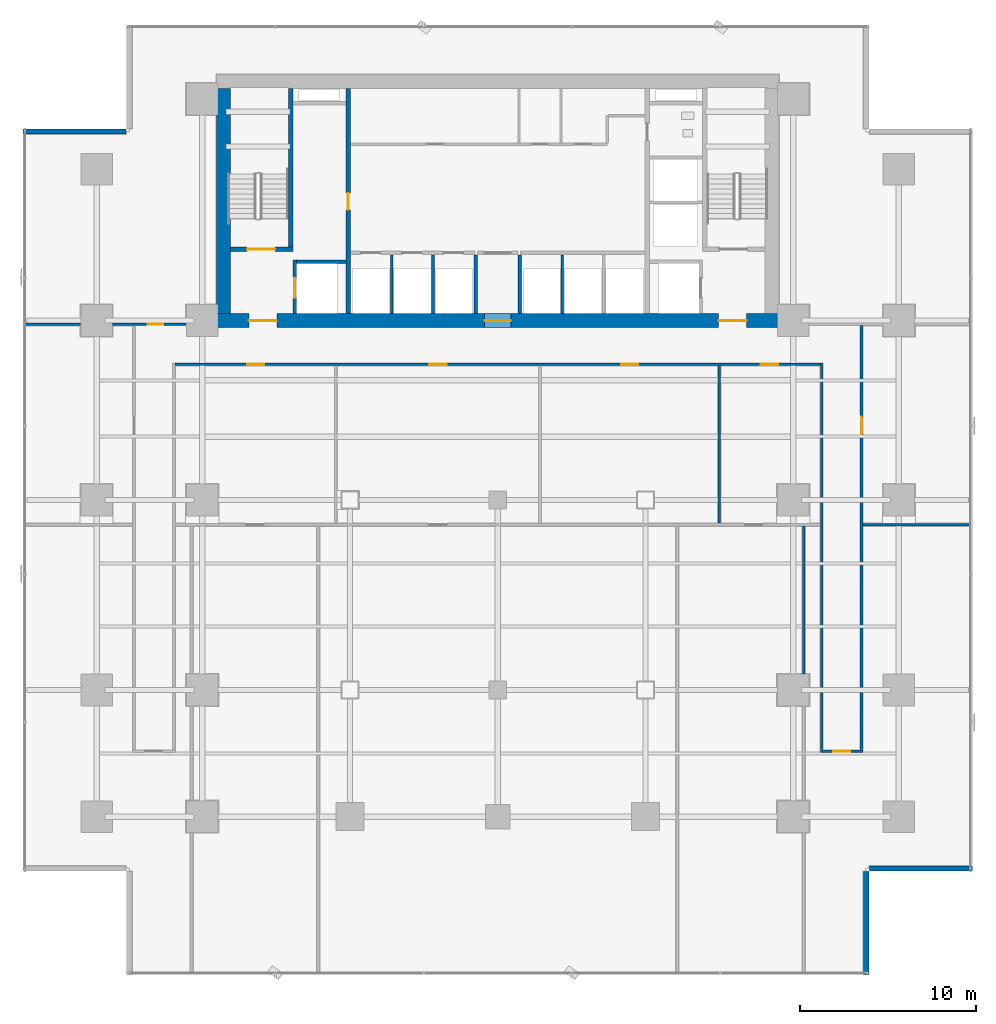
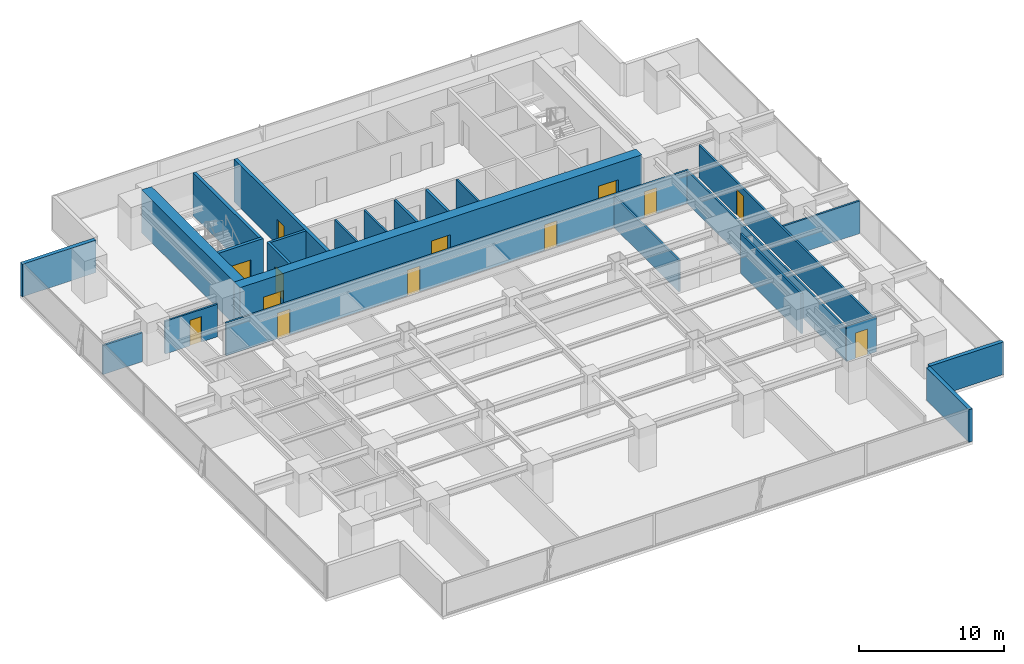
# One storey, part 24 of 32: 24 walls, 13 doors, 13 openings.
"""IFC4 building model written with IfcOpenShell, lengths in metres."""

import ifcopenshell
import ifcopenshell.guid

model = None  # the IFC model being written
_history = None  # IfcOwnerHistory: only IFC2X3 demands one
_inside = {}  # id of a spatial element -> (the spatial element, [elements in it])
_under = {}  # id of a project, library or spatial element -> (it, [spatial elements below it])
_declared = {}  # id of a project -> (the project, [libraries it declares])
_typed = {}  # id of a type object -> (the type object, [elements of that type])
_made_of = {}  # id of a material, layer set ... -> (it, [elements and type objects made of it])


def new_model(schema):
    """Start an empty IFC model of exactly this schema.

    Asked for "IFC4X3", IfcOpenShell would pick the latest addendum, in which some entities
    have other attributes; the version numbers below select the first issue.
    IFC2X3 requires an IfcOwnerHistory on every rooted entity: one is made here for all.
    """
    global model, _history
    if schema == "IFC4X3":
        model = ifcopenshell.file(schema_version=(4, 3, 0, 0))
    else:
        model = ifcopenshell.file(schema=schema)
    _inside.clear()
    _under.clear()
    _declared.clear()
    _typed.clear()
    _made_of.clear()
    _history = None
    if model.schema == "IFC2X3":
        org = make("IfcOrganization", Name="unknown")
        user = make(
            "IfcPersonAndOrganization",
            ThePerson=make("IfcPerson", FamilyName="unknown"),
            TheOrganization=org,
        )
        app = make(
            "IfcApplication",
            ApplicationDeveloper=org,
            Version="unknown",
            ApplicationFullName="unknown",
            ApplicationIdentifier="unknown",
        )
        _history = make(
            "IfcOwnerHistory",
            OwningUser=user,
            OwningApplication=app,
            ChangeAction="ADDED",
            CreationDate=0,
        )
    return model


def make(cls, **values):
    """One entity of the class cls with the attributes given. An attribute that is None is left unset."""
    return model.create_entity(
        cls, **{name: value for name, value in values.items() if value is not None}
    )


def rooted(cls, **values):
    """An entity with a GlobalId (a new one), such as an element, a storey or a relation."""
    return make(cls, GlobalId=ifcopenshell.guid.new(), OwnerHistory=_history, **values)


def si_unit(unit_type, name, prefix=None):
    """IfcSIUnit, for example si_unit("LENGTHUNIT", "METRE", prefix="MILLI")."""
    return make("IfcSIUnit", UnitType=unit_type, Prefix=prefix, Name=name)


def assignment(units):
    """IfcUnitAssignment: the units of a project."""
    return None if units is None else make("IfcUnitAssignment", Units=units)


def point(xyz):
    """IfcCartesianPoint."""
    return None if xyz is None else make("IfcCartesianPoint", Coordinates=xyz)


def direction(xyz):
    """IfcDirection."""
    return None if xyz is None else make("IfcDirection", DirectionRatios=xyz)


def frame(location, z_axis=None, x_axis=None):
    """IfcAxis2Placement3D, a coordinate frame: its origin and axes. An axis left out is left unset."""
    return make(
        "IfcAxis2Placement3D",
        Location=point(location),
        Axis=direction(z_axis),
        RefDirection=direction(x_axis),
    )


def frame_2d(location, x_axis=None):
    """IfcAxis2Placement2D, a coordinate frame in the plane: its origin and x axis."""
    return make(
        "IfcAxis2Placement2D", Location=point(location), RefDirection=direction(x_axis)
    )


def origin():
    """The frame at (0, 0, 0) with its axes left unset."""
    return frame((0.0, 0.0, 0.0))


def place(relative_to, where):
    """IfcLocalPlacement: puts the frame where relative to a parent placement (None: the world)."""
    return make(
        "IfcLocalPlacement", PlacementRelTo=relative_to, RelativePlacement=where
    )


def context(
    kind, dimensions, precision=None, world=None, true_north=None, identifier=None
):
    """IfcGeometricRepresentationContext, for example the 3D "Model" context."""
    return make(
        "IfcGeometricRepresentationContext",
        ContextIdentifier=identifier,
        ContextType=kind,
        CoordinateSpaceDimension=dimensions,
        Precision=precision,
        WorldCoordinateSystem=world,
        TrueNorth=true_north,
    )


def subcontext(parent, identifier, kind, view, scale=None):
    """IfcGeometricRepresentationSubContext, for example "Body" below "Model"."""
    return make(
        "IfcGeometricRepresentationSubContext",
        ContextIdentifier=identifier,
        ContextType=kind,
        ParentContext=parent,
        TargetScale=scale,
        TargetView=view,
    )


def project(units=None, contexts=None):
    """IfcProject with its units and contexts."""
    return rooted(
        "IfcProject",
        Name="project",
        RepresentationContexts=contexts,
        UnitsInContext=assignment(units),
    )


def spatial(cls, under=None, at=None, **own):
    """A site, building, storey or space (cls), placed at a placement, below another one or the project."""
    s = rooted(cls, ObjectPlacement=at, **own)
    if under is not None:
        _under.setdefault(under.id(), (under, []))[1].append(s)
    return s


def profile(cls, at=None, kind="AREA", **sizes):
    """A parametric profile (cls). Its sizes go by their IFC names, for example OverallWidth=200.0."""
    return make(cls, ProfileType=kind, Position=at, **sizes)


def rectangle(**sizes):
    """IfcRectangleProfileDef."""
    return profile("IfcRectangleProfileDef", **sizes)


def extrude(swept, where, along, depth):
    """IfcExtrudedAreaSolid: the profile swept, set in the frame where, extruded along a direction by depth."""
    return make(
        "IfcExtrudedAreaSolid",
        SweptArea=swept,
        Position=where,
        ExtrudedDirection=direction(along),
        Depth=depth,
    )


def shape(context_of_items, identifier, shape_type, items):
    """IfcShapeRepresentation: the items that make up one representation, for example the "Body"."""
    return make(
        "IfcShapeRepresentation",
        ContextOfItems=context_of_items,
        RepresentationIdentifier=identifier,
        RepresentationType=shape_type,
        Items=items,
    )


def source(mapping_origin, context_of_items, identifier, shape_type, items):
    """IfcRepresentationMap: a shape defined once, which mapped items show again and again."""
    return make(
        "IfcRepresentationMap",
        MappingOrigin=mapping_origin,
        MappedRepresentation=shape(context_of_items, identifier, shape_type, items),
    )


def transform(
    local_origin,
    x_axis=None,
    y_axis=None,
    z_axis=None,
    scale=None,
    scale2=None,
    scale3=None,
    uniform=True,
):
    """IfcCartesianTransformationOperator3D, or its non-uniform kind. x_axis, y_axis, z_axis: its Axis1, 2, 3."""
    if uniform:
        return make(
            "IfcCartesianTransformationOperator3D",
            Axis1=direction(x_axis),
            Axis2=direction(y_axis),
            LocalOrigin=point(local_origin),
            Scale=scale,
            Axis3=direction(z_axis),
        )
    return make(
        "IfcCartesianTransformationOperator3DnonUniform",
        Axis1=direction(x_axis),
        Axis2=direction(y_axis),
        LocalOrigin=point(local_origin),
        Scale=scale,
        Axis3=direction(z_axis),
        Scale2=scale2,
        Scale3=scale3,
    )


def mapped(mapping_source, mapping_target):
    """IfcMappedItem: shows the shape of a source again, moved by a transform."""
    return make(
        "IfcMappedItem", MappingSource=mapping_source, MappingTarget=mapping_target
    )


def material(Name=None, Category=None):
    """IfcMaterial."""
    return make("IfcMaterial", Name=Name, Category=Category)


def layer(
    of_material, thickness, ventilated=None, Name=None, Category=None, Priority=None
):
    """IfcMaterialLayer: one layer of a wall or slab, of a material (None: an air gap)."""
    return make(
        "IfcMaterialLayer",
        Material=of_material,
        LayerThickness=thickness,
        IsVentilated=ventilated,
        Name=Name,
        Category=Category,
        Priority=Priority,
    )


def layer_set(layers, Name=None):
    """IfcMaterialLayerSet."""
    return make("IfcMaterialLayerSet", MaterialLayers=layers, LayerSetName=Name)


def made_of(thing, what):
    """Note that an element or type object is made of a material, layer set ...; save() writes the relation."""
    if what is not None:
        _made_of.setdefault(what.id(), (what, []))[1].append(thing)
    return thing


def type_object(cls, material=None, **own):
    """A type object (cls), such as IfcWallType, which elements share."""
    return made_of(rooted(cls, **own), material)


def element(
    cls,
    number,
    at=None,
    inside=None,
    cuts=None,
    type_object=None,
    material=None,
    context=None,
    identifier="Body",
    shape_type=None,
    held_by="IfcProductDefinitionShape",
    body=None,
    shapes=None,
    **own,
):
    """One element of the class cls, such as IfcWall. Its Tag is "e" and its number.

    at: its placement. inside: the storey or other place that contains it. cuts: it is an
    opening in that element (IfcRelVoidsElement). A single representation is given by context,
    identifier, shape_type and body (its items); several are given by shapes. held_by: the class
    of the entity that holds the representations. save() writes the other relations.
    """
    e = rooted(cls, Tag="e%d" % number, ObjectPlacement=at, **own)
    if body is not None:
        shapes = [shape(context, identifier, shape_type, body)]
    if shapes is not None:
        e.Representation = make(held_by, Representations=shapes)
    if inside is not None:
        _inside.setdefault(inside.id(), (inside, []))[1].append(e)
    if cuts is not None:
        rooted(
            "IfcRelVoidsElement", RelatingBuildingElement=cuts, RelatedOpeningElement=e
        )
    if type_object is not None:
        _typed.setdefault(type_object.id(), (type_object, []))[1].append(e)
    return made_of(e, material)


def fill(opening, filler):
    """IfcRelFillsElement: the door or window that sits in an opening."""
    return rooted(
        "IfcRelFillsElement",
        RelatingOpeningElement=opening,
        RelatedBuildingElement=filler,
    )


def aggregate(whole, parts):
    """IfcRelAggregates: a whole, such as a stair, and the parts it consists of."""
    return rooted("IfcRelAggregates", RelatingObject=whole, RelatedObjects=parts)


def save(model, path):
    """Write the relations noted so far, then the file.

    IfcRelAggregates (storeys below a building ...), IfcRelContainedInSpatialStructure (elements
    in a storey), IfcRelDefinesByType, IfcRelAssociatesMaterial and IfcRelDeclares: one each for
    every whole, place, type object, material and project.
    """
    for whole, parts in _under.values():
        aggregate(whole, parts)
    for where, things in _inside.values():
        rooted(
            "IfcRelContainedInSpatialStructure",
            RelatedElements=things,
            RelatingStructure=where,
        )
    for kind, things in _typed.values():
        rooted("IfcRelDefinesByType", RelatedObjects=things, RelatingType=kind)
    for what, things in _made_of.values():
        rooted("IfcRelAssociatesMaterial", RelatedObjects=things, RelatingMaterial=what)
    for by, libraries in _declared.values():
        rooted("IfcRelDeclares", RelatingContext=by, RelatedDefinitions=libraries)
    model.write(path)


model = new_model("IFC4")

# Units and contexts
model_context = context("Model", 3, precision=1e-05, world=origin(), true_north=direction((0.0, 1.0)))
body_context = subcontext(model_context, "Body", "Model", "MODEL_VIEW")
ifc_project = project(units=[si_unit("LENGTHUNIT", "METRE"), si_unit("AREAUNIT", "SQUARE_METRE"), si_unit("VOLUMEUNIT", "CUBIC_METRE"), si_unit("PLANEANGLEUNIT", "RADIAN"), si_unit("MASSUNIT", "GRAM", prefix="KILO")], contexts=[model_context])

# Site, building, storey
site_placement = place(None, origin())
site = spatial("IfcSite", under=ifc_project, at=site_placement, CompositionType="ELEMENT")
building_placement = place(site_placement, origin())
building = spatial("IfcBuilding", under=site, at=building_placement, Name="Sumidabori Civic Tower", CompositionType="ELEMENT")
storey_placement = place(building_placement, frame((0.0, 0.0, 52.39990234375)))
storey = spatial("IfcBuildingStorey", under=building, at=storey_placement, Name="L13", CompositionType="ELEMENT", Elevation=52.39990234375)

# Wall, openings, doors
ifc_material_1 = material(Name="Concrete C60/75", Category="concrete")
ifc_layer_1 = layer(ifc_material_1, 0.800048828125, Name="Concrete C60/75")
ifc_layer_set_1 = layer_set([ifc_layer_1], Name="Concrete C60/75")
wall_type_1 = type_object("IfcWallType", Name="WL-CORE-800", PredefinedType="SHEAR", material=ifc_layer_set_1)
shared_shape_1 = source(origin(), body_context, "Body", "SweptSolid", [
    extrude(rectangle(XDim=32.0, YDim=0.800048828125, at=frame_2d((16.0, 0.0))), origin(), (0.0, 0.0, 1.0), 3.60009765625),
])
wall_1_placement = place(storey_placement, frame((-16.0, 10.199951171875, 0.0), z_axis=(0.0, 0.0, 1.0), x_axis=(1.0, 0.0, 0.0)))
wall_1 = element("IfcWall", 1, at=wall_1_placement, inside=storey, type_object=wall_type_1, Name="Core Shear Wall L13 S", PredefinedType="SHEAR", context=body_context, shape_type="MappedRepresentation", body=[
    mapped(shared_shape_1, transform((0.0, 0.0, 0.0), x_axis=(1.0, 0.0, 0.0), y_axis=(0.0, 1.0, 0.0), z_axis=(0.0, 0.0, 1.0), scale=1.0)),
])
opening_1_placement = place(wall_1_placement, frame((1.85009765625, 0.0, 0.0)))
opening_1 = element("IfcOpeningElement", 2, at=opening_1_placement, cuts=wall_1, Name="Opening DR-FD4", PredefinedType="OPENING", context=body_context, shape_type="SweptSolid", body=[
    extrude(rectangle(XDim=1.60009765625, YDim=2.14990234375, at=frame_2d((0.800048828125, 1.074951171875))), frame((0.0, 0.412109375, 0.0), z_axis=(0.0, -1.0, 0.0), x_axis=(1.0, 0.0, 0.0)), (0.0, 0.0, 1.0), 0.823974609375),
])
opening_2_placement = place(wall_1_placement, frame((28.550048828125, 0.0, 0.0)))
opening_2 = element("IfcOpeningElement", 3, at=opening_2_placement, cuts=wall_1, Name="Opening DR-FD4", PredefinedType="OPENING", context=body_context, shape_type="SweptSolid", body=[
    extrude(rectangle(XDim=1.60009765625, YDim=2.14990234375, at=frame_2d((0.800048828125, 1.074951171875))), frame((0.0, 0.412109375, 0.0), z_axis=(0.0, -1.0, 0.0), x_axis=(1.0, 0.0, 0.0)), (0.0, 0.0, 1.0), 0.823974609375),
])
opening_3_placement = place(wall_1_placement, frame((15.25, 0.0, 0.0)))
opening_3 = element("IfcOpeningElement", 4, at=opening_3_placement, cuts=wall_1, Name="Opening DR-FD3", PredefinedType="OPENING", context=body_context, shape_type="SweptSolid", body=[
    extrude(rectangle(XDim=1.5, YDim=2.199951171875, at=frame_2d((0.75, 1.10009765625))), frame((0.0, 0.412109375, 0.0), z_axis=(0.0, -1.0, 0.0), x_axis=(1.0, 0.0, 0.0)), (0.0, 0.0, 1.0), 0.823974609375),
])
ifc_material_2 = material(Name="Steel SN490", Category="steel")
door_type_1 = type_object("IfcDoorType", Name="DR-FD4", OperationType="DOUBLE_DOOR_SINGLE_SWING", PredefinedType="DOOR", material=ifc_material_2)
shared_shape_2 = source(origin(), body_context, "Body", "SweptSolid", [
    extrude(rectangle(XDim=1.60009765625, YDim=2.14990234375, at=frame_2d((0.800048828125, 1.074951171875))), frame((0.0, 0.02490234375, 0.0), z_axis=(0.0, -1.0, 0.0), x_axis=(1.0, 0.0, 0.0)), (0.0, 0.0, 1.0), 0.050048828125),
])
door_1_placement = place(opening_1_placement, origin())
door_1 = element("IfcDoor", 5, at=door_1_placement, inside=storey, type_object=door_type_1, Name="Door DR:L13:ELOB-W", OperationType="DOUBLE_DOOR_SINGLE_SWING", OverallHeight=2.14990234375, OverallWidth=1.60009765625, PredefinedType="DOOR", context=body_context, shape_type="MappedRepresentation", body=[
    mapped(shared_shape_2, transform((0.0, 0.0, 0.0), x_axis=(1.0, 0.0, 0.0), y_axis=(0.0, 1.0, 0.0), z_axis=(0.0, 0.0, 1.0), scale=1.0)),
])
fill(opening_1, door_1)
door_2_placement = place(opening_2_placement, origin())
door_2 = element("IfcDoor", 6, at=door_2_placement, inside=storey, type_object=door_type_1, Name="Door DR:L13:ELOB-E", OperationType="DOUBLE_DOOR_SINGLE_SWING", OverallHeight=2.14990234375, OverallWidth=1.60009765625, PredefinedType="DOOR", context=body_context, shape_type="MappedRepresentation", body=[
    mapped(shared_shape_2, transform((0.0, 0.0, 0.0), x_axis=(1.0, 0.0, 0.0), y_axis=(0.0, 1.0, 0.0), z_axis=(0.0, 0.0, 1.0), scale=1.0)),
])
fill(opening_2, door_2)
door_type_2 = type_object("IfcDoorType", Name="DR-FD-DBL", OperationType="DOUBLE_DOOR_SINGLE_SWING", PredefinedType="DOOR", material=ifc_material_2)
shared_shape_3 = source(origin(), body_context, "Body", "SweptSolid", [
    extrude(rectangle(XDim=1.5, YDim=2.199951171875, at=frame_2d((0.75, 1.10009765625))), frame((0.0, 0.02490234375, 0.0), z_axis=(0.0, -1.0, 0.0), x_axis=(1.0, 0.0, 0.0)), (0.0, 0.0, 1.0), 0.050048828125),
])
door_3_placement = place(opening_3_placement, origin())
door_3 = element("IfcDoor", 7, at=door_3_placement, inside=storey, type_object=door_type_2, Name="Door DR:L13:THROAT-OUT", OperationType="DOUBLE_DOOR_SINGLE_SWING", OverallHeight=2.199951171875, OverallWidth=1.5, PredefinedType="DOOR", context=body_context, shape_type="MappedRepresentation", body=[
    mapped(shared_shape_3, transform((0.0, 0.0, 0.0), x_axis=(1.0, 0.0, 0.0), y_axis=(0.0, 1.0, 0.0), z_axis=(0.0, 0.0, 1.0), scale=1.0)),
])
fill(opening_3, door_3)

# Wall
shared_shape_4 = source(origin(), body_context, "Body", "SweptSolid", [
    extrude(rectangle(XDim=12.7998046875, YDim=0.800048828125, at=frame_2d((6.39990234375, 0.0))), origin(), (0.0, 0.0, 1.0), 3.60009765625),
])
wall_2_placement = place(storey_placement, frame((-15.60009765625, 10.60009765625, 0.0), z_axis=(0.0, 0.0, 1.0), x_axis=(0.0, 1.0, 0.0)))
element("IfcWall", 8, at=wall_2_placement, inside=storey, type_object=wall_type_1, Name="Core Shear Wall L13 W", PredefinedType="SHEAR", context=body_context, shape_type="MappedRepresentation", body=[
    mapped(shared_shape_4, transform((0.0, 0.0, 0.0), x_axis=(1.0, 0.0, 0.0), y_axis=(0.0, 1.0, 0.0), z_axis=(0.0, 0.0, 1.0), scale=1.0)),
])

# Wall, opening, door
ifc_material_3 = material(Name="Concrete C50/60", Category="concrete")
ifc_layer_2 = layer(ifc_material_3, 0.25, Name="Concrete C50/60")
ifc_layer_set_2 = layer_set([ifc_layer_2], Name="Concrete C50/60")
wall_type_2 = type_object("IfcWallType", Name="WL-SHAFT-250", PredefinedType="SHEAR", material=ifc_layer_set_2)
shared_shape_5 = source(origin(), body_context, "Body", "SweptSolid", [
    extrude(rectangle(XDim=12.7998046875, YDim=0.25, at=frame_2d((6.39990234375, 0.0))), origin(), (0.0, 0.0, 1.0), 3.60009765625),
])
wall_3_placement = place(storey_placement, frame((-8.5, 10.60009765625, 0.0), z_axis=(0.0, 0.0, 1.0), x_axis=(0.0, 1.0, 0.0)))
wall_3 = element("IfcWall", 9, at=wall_3_placement, inside=storey, type_object=wall_type_2, Name="Core Shear Wall L13 WEB-W", PredefinedType="SHEAR", context=body_context, shape_type="MappedRepresentation", body=[
    mapped(shared_shape_5, transform((0.0, 0.0, 0.0), x_axis=(1.0, 0.0, 0.0), y_axis=(0.0, 1.0, 0.0), z_axis=(0.0, 0.0, 1.0), scale=1.0)),
])
opening_4_placement = place(wall_3_placement, frame((5.89990234375, 0.0, 0.0)))
opening_4 = element("IfcOpeningElement", 10, at=opening_4_placement, cuts=wall_3, Name="Opening DR-FD2", PredefinedType="OPENING", context=body_context, shape_type="SweptSolid", body=[
    extrude(rectangle(XDim=0.949951171875, YDim=2.14990234375, at=frame_2d((0.47509765625, 1.074951171875))), frame((0.0, 0.136962890625, 0.0), z_axis=(0.0, -1.0, 0.0), x_axis=(1.0, 0.0, 0.0)), (0.0, 0.0, 1.0), 0.27392578125),
])
door_type_3 = type_object("IfcDoorType", Name="DR-FD2", OperationType="NOTDEFINED", PredefinedType="DOOR", material=ifc_material_2)
shared_shape_6 = source(origin(), body_context, "Body", "SweptSolid", [
    extrude(rectangle(XDim=0.949951171875, YDim=2.14990234375, at=frame_2d((0.47509765625, 1.074951171875))), frame((0.0, 0.02490234375, 0.0), z_axis=(0.0, -1.0, 0.0), x_axis=(1.0, 0.0, 0.0)), (0.0, 0.0, 1.0), 0.050048828125),
])
door_4_placement = place(opening_4_placement, origin())
door_4 = element("IfcDoor", 11, at=door_4_placement, inside=storey, type_object=door_type_3, Name="Door DR:L13:CW-STR", OperationType="SINGLE_SWING_LEFT", OverallHeight=2.14990234375, OverallWidth=0.949951171875, PredefinedType="DOOR", context=body_context, shape_type="MappedRepresentation", body=[
    mapped(shared_shape_6, transform((0.0, 0.0, 0.0), x_axis=(1.0, 0.0, 0.0), y_axis=(0.0, 1.0, 0.0), z_axis=(0.0, 0.0, 1.0), scale=1.0)),
])
fill(opening_4, door_4)

shared_shape_7 = source(origin(), body_context, "Body", "SweptSolid", [
    extrude(rectangle(XDim=3.554931640625, YDim=0.25, at=frame_2d((1.77734375, 0.0))), origin(), (0.0, 0.0, 1.0), 3.60009765625),
])
wall_4_placement = place(storey_placement, frame((-15.199951171875, 14.25, 0.0), z_axis=(0.0, 0.0, 1.0), x_axis=(1.0, 0.0, 0.0)))
wall_4 = element("IfcWall", 12, at=wall_4_placement, inside=storey, type_object=wall_type_2, Name="Core Shear Wall L13 ST1-S", PredefinedType="SHEAR", context=body_context, shape_type="MappedRepresentation", body=[
    mapped(shared_shape_7, transform((0.0, 0.0, 0.0), x_axis=(1.0, 0.0, 0.0), y_axis=(0.0, 1.0, 0.0), z_axis=(0.0, 0.0, 1.0), scale=1.0)),
])
opening_5_placement = place(wall_4_placement, frame((0.949951171875, 0.0, 0.0)))
opening_5 = element("IfcOpeningElement", 13, at=opening_5_placement, cuts=wall_4, Name="Opening DR-FD4", PredefinedType="OPENING", context=body_context, shape_type="SweptSolid", body=[
    extrude(rectangle(XDim=1.60009765625, YDim=2.14990234375, at=frame_2d((0.800048828125, 1.074951171875))), frame((0.0, 0.136962890625, 0.0), z_axis=(0.0, -1.0, 0.0), x_axis=(1.0, 0.0, 0.0)), (0.0, 0.0, 1.0), 0.27392578125),
])
door_5_placement = place(opening_5_placement, origin())
door_5 = element("IfcDoor", 14, at=door_5_placement, inside=storey, type_object=door_type_1, Name="Door DR:L13:ST1", OperationType="DOUBLE_DOOR_SINGLE_SWING", OverallHeight=2.14990234375, OverallWidth=1.60009765625, PredefinedType="DOOR", context=body_context, shape_type="MappedRepresentation", body=[
    mapped(shared_shape_2, transform((0.0, 0.0, 0.0), x_axis=(1.0, 0.0, 0.0), y_axis=(0.0, 1.0, 0.0), z_axis=(0.0, 0.0, 1.0), scale=1.0)),
])
fill(opening_5, door_5)

# Wall
shared_shape_8 = source(origin(), body_context, "Body", "SweptSolid", [
    extrude(rectangle(XDim=9.02490234375, YDim=0.25, at=frame_2d((4.512451171875, 0.0))), origin(), (0.0, 0.0, 1.0), 3.60009765625),
])
wall_5_placement = place(storey_placement, frame((-11.77001953125, 14.375, 0.0), z_axis=(0.0, 0.0, 1.0), x_axis=(0.0, 1.0, 0.0)))
element("IfcWall", 15, at=wall_5_placement, inside=storey, type_object=wall_type_2, Name="Core Shear Wall L13 ST1-E", PredefinedType="SHEAR", context=body_context, shape_type="MappedRepresentation", body=[
    mapped(shared_shape_8, transform((0.0, 0.0, 0.0), x_axis=(1.0, 0.0, 0.0), y_axis=(0.0, 1.0, 0.0), z_axis=(0.0, 0.0, 1.0), scale=1.0)),
])

# Wall, opening, door
ifc_layer_3 = layer(ifc_material_3, 0.199951171875, Name="Concrete C50/60")
ifc_layer_set_3 = layer_set([ifc_layer_3], Name="Concrete C50/60")
wall_type_3 = type_object("IfcWallType", Name="WL-SHAFT-200", PredefinedType="SHEAR", material=ifc_layer_set_3)
shared_shape_9 = source(origin(), body_context, "Body", "SweptSolid", [
    extrude(rectangle(XDim=3.0498046875, YDim=0.199951171875, at=frame_2d((1.52490234375, 0.0))), origin(), (0.0, 0.0, 1.0), 3.60009765625),
])
wall_6_placement = place(storey_placement, frame((-11.550048828125, 10.60009765625, 0.0), z_axis=(0.0, 0.0, 1.0), x_axis=(0.0, 1.0, 0.0)))
wall_6 = element("IfcWall", 16, at=wall_6_placement, inside=storey, type_object=wall_type_3, Name="Core Shear Wall L13 EL1-W", PredefinedType="SHEAR", context=body_context, shape_type="MappedRepresentation", body=[
    mapped(shared_shape_9, transform((0.0, 0.0, 0.0), x_axis=(1.0, 0.0, 0.0), y_axis=(0.0, 1.0, 0.0), z_axis=(0.0, 0.0, 1.0), scale=1.0)),
])
opening_6_placement = place(wall_6_placement, frame((0.89990234375, 0.0, 0.0)))
opening_6 = element("IfcOpeningElement", 17, at=opening_6_placement, cuts=wall_6, Name="Opening LD-2", PredefinedType="OPENING", context=body_context, shape_type="SweptSolid", body=[
    extrude(rectangle(XDim=1.10009765625, YDim=2.14990234375, at=frame_2d((0.550048828125, 1.074951171875))), frame((0.0, 0.11181640625, 0.0), z_axis=(0.0, -1.0, 0.0), x_axis=(1.0, 0.0, 0.0)), (0.0, 0.0, 1.0), 0.223876953125),
])
ifc_material_4 = material(Name="Stainless Steel Hairline Finish", Category="steel")
door_type_4 = type_object("IfcDoorType", Name="DR-LD2", OperationType="DOUBLE_DOOR_SLIDING", PredefinedType="DOOR", material=ifc_material_4)
shared_shape_10 = source(origin(), body_context, "Body", "SweptSolid", [
    extrude(rectangle(XDim=1.10009765625, YDim=2.14990234375, at=frame_2d((0.550048828125, 1.074951171875))), frame((0.0, 0.02490234375, 0.0), z_axis=(0.0, -1.0, 0.0), x_axis=(1.0, 0.0, 0.0)), (0.0, 0.0, 1.0), 0.050048828125),
])
door_6_placement = place(opening_6_placement, origin())
door_6 = element("IfcDoor", 18, at=door_6_placement, inside=storey, type_object=door_type_4, Name="Door DR:L13:LD-EL1", OperationType="DOUBLE_DOOR_SLIDING", OverallHeight=2.14990234375, OverallWidth=1.10009765625, PredefinedType="DOOR", context=body_context, shape_type="MappedRepresentation", body=[
    mapped(shared_shape_10, transform((0.0, 0.0, 0.0), x_axis=(1.0, 0.0, 0.0), y_axis=(0.0, 1.0, 0.0), z_axis=(0.0, 0.0, 1.0), scale=1.0)),
])
fill(opening_6, door_6)

# Walls
shared_shape_11 = source(origin(), body_context, "Body", "SweptSolid", [
    extrude(rectangle(XDim=2.824951171875, YDim=0.199951171875, at=frame_2d((1.41259765625, 0.0))), origin(), (0.0, 0.0, 1.0), 3.60009765625),
])
wall_7_placement = place(storey_placement, frame((-11.449951171875, 13.550048828125, 0.0), z_axis=(0.0, 0.0, 1.0), x_axis=(1.0, 0.0, 0.0)))
element("IfcWall", 19, at=wall_7_placement, inside=storey, type_object=wall_type_3, Name="Core Shear Wall L13 EL1-N", PredefinedType="SHEAR", context=body_context, shape_type="MappedRepresentation", body=[
    mapped(shared_shape_11, transform((0.0, 0.0, 0.0), x_axis=(1.0, 0.0, 0.0), y_axis=(0.0, 1.0, 0.0), z_axis=(0.0, 0.0, 1.0), scale=1.0)),
])
ifc_material_5 = material(Name="Precast concrete C40/50", Category="concrete")
ifc_layer_4 = layer(ifc_material_5, 0.300048828125, Name="Precast concrete C40/50")
ifc_layer_set_4 = layer_set([ifc_layer_4], Name="Precast concrete C40/50")
wall_type_4 = type_object("IfcWallType", Name="WL-EXT-POD300", PredefinedType="STANDARD", material=ifc_layer_set_4)
shared_shape_12 = source(origin(), body_context, "Body", "SweptSolid", [
    extrude(rectangle(XDim=5.85986328125, YDim=0.300048828125, at=frame_2d((2.929931640625, 0.0))), origin(), (0.0, 0.0, 1.0), 2.739990234375),
])
for number, where, z_axis, x_axis, name in (
    (20, (20.949951171875, -26.97998046875, 0.0), (0.0, 0.0, 1.0), (0.0, 1.0, 0.0), "Notched Corner Spandrel Band L13-02"),
    (21, (21.1201171875, -20.949951171875, 0.0), (0.0, 0.0, 1.0), (1.0, 0.0, 0.0), "Notched Corner Spandrel Band L13-03"),
    (22, (-21.1201171875, 20.949951171875, 0.0), (0.0, 0.0, 1.0), (-1.0, 0.0, 0.0), "Notched Corner Spandrel Band L13-09"),
):
    element("IfcWall", number, at=place(storey_placement, frame(where, z_axis=z_axis, x_axis=x_axis)), inside=storey, type_object=wall_type_4, Name=name, PredefinedType="STANDARD", context=body_context, shape_type="MappedRepresentation", body=[
        mapped(shared_shape_12, transform((0.0, 0.0, 0.0), x_axis=(1.0, 0.0, 0.0), y_axis=(0.0, 1.0, 0.0), z_axis=(0.0, 0.0, 1.0), scale=1.0)),
    ])
ifc_material_6 = material(Name="Gypsum Plasterboard Fire Partition")
ifc_layer_5 = layer(ifc_material_6, 0.199951171875, Name="Gypsum Plasterboard Fire Partition")
ifc_layer_set_5 = layer_set([ifc_layer_5], Name="Gypsum Plasterboard Fire Partition")
wall_type_5 = type_object("IfcWallType", Name="WL-PART-FIRE", PredefinedType="PARTITIONING", material=ifc_layer_set_5)
shared_shape_13 = source(origin(), body_context, "Body", "SweptSolid", [
    extrude(rectangle(XDim=3.33984375, YDim=0.199951171875, at=frame_2d((1.669921875, 0.0))), origin(), (0.0, 0.0, 1.0), 3.360107421875),
])
for number, where, z_axis, x_axis, name in (
    (23, (-1.25, 10.60009765625, 0.0), (0.0, 0.0, 1.0), (0.0, 1.0, 0.0), "Interior Partition WL:L13:THROAT-W"),
    (24, (1.25, 10.60009765625, 0.0), (0.0, 0.0, 1.0), (0.0, 1.0, 0.0), "Interior Partition WL:L13:THROAT-E"),
):
    element("IfcWall", number, at=place(storey_placement, frame(where, z_axis=z_axis, x_axis=x_axis)), inside=storey, type_object=wall_type_5, Name=name, PredefinedType="PARTITIONING", context=body_context, shape_type="MappedRepresentation", body=[
        mapped(shared_shape_13, transform((0.0, 0.0, 0.0), x_axis=(1.0, 0.0, 0.0), y_axis=(0.0, 1.0, 0.0), z_axis=(0.0, 0.0, 1.0), scale=1.0)),
    ])
ifc_material_7 = material(Name="Gypsum Plasterboard Acoustic Partition")
ifc_layer_6 = layer(ifc_material_7, 0.14990234375, Name="Gypsum Plasterboard Acoustic Partition")
ifc_layer_set_6 = layer_set([ifc_layer_6], Name="Gypsum Plasterboard Acoustic Partition")
wall_type_6 = type_object("IfcWallType", Name="WL-PART-150", PredefinedType="PARTITIONING", material=ifc_layer_set_6)
shared_shape_14 = source(origin(), body_context, "Body", "SweptSolid", [
    extrude(rectangle(XDim=3.33984375, YDim=0.14990234375, at=frame_2d((1.669921875, 0.0))), origin(), (0.0, 0.0, 1.0), 3.360107421875),
])
for number, where, z_axis, x_axis, name in (
    (25, (-6.030029296875, 10.60009765625, 0.0), (0.0, 0.0, 1.0), (0.0, 1.0, 0.0), "Interior Partition WL:L13:DIV-PLL1"),
    (26, (-3.679931640625, 10.60009765625, 0.0), (0.0, 0.0, 1.0), (0.0, 1.0, 0.0), "Interior Partition WL:L13:DIV-PLL2"),
    (27, (3.669921875, 10.60009765625, 0.0), (0.0, 0.0, 1.0), (0.0, 1.0, 0.0), "Interior Partition WL:L13:DIV-PLM1"),
):
    element("IfcWall", number, at=place(storey_placement, frame(where, z_axis=z_axis, x_axis=x_axis)), inside=storey, type_object=wall_type_6, Name=name, PredefinedType="PARTITIONING", context=body_context, shape_type="MappedRepresentation", body=[
        mapped(shared_shape_14, transform((0.0, 0.0, 0.0), x_axis=(1.0, 0.0, 0.0), y_axis=(0.0, 1.0, 0.0), z_axis=(0.0, 0.0, 1.0), scale=1.0)),
    ])
shared_shape_15 = source(origin(), body_context, "Body", "SweptSolid", [
    extrude(rectangle(XDim=3.14013671875, YDim=0.14990234375, at=frame_2d((1.570068359375, 0.0))), origin(), (0.0, 0.0, 1.0), 2.43505859375),
])
wall_8_placement = place(storey_placement, frame((-26.85009765625, 10.0, 0.0), z_axis=(0.0, 0.0, 1.0), x_axis=(1.0, 0.0, 0.0)))
element("IfcWall", 28, at=wall_8_placement, inside=storey, type_object=wall_type_6, Name="Interior Partition WL:L13:FLK-NW-1", PredefinedType="PARTITIONING", context=body_context, shape_type="MappedRepresentation", body=[
    mapped(shared_shape_15, transform((0.0, 0.0, 0.0), x_axis=(1.0, 0.0, 0.0), y_axis=(0.0, 1.0, 0.0), z_axis=(0.0, 0.0, 1.0), scale=1.0)),
])

# Wall, opening, door
shared_shape_16 = source(origin(), body_context, "Body", "SweptSolid", [
    extrude(rectangle(XDim=4.179931640625, YDim=0.14990234375, at=frame_2d((2.08984375, 0.0))), origin(), (0.0, 0.0, 1.0), 2.7451171875),
])
wall_9_placement = place(storey_placement, frame((-21.889892578125, 10.0, 0.0), z_axis=(0.0, 0.0, 1.0), x_axis=(1.0, 0.0, 0.0)))
wall_9 = element("IfcWall", 29, at=wall_9_placement, inside=storey, type_object=wall_type_6, Name="Interior Partition WL:L13:FLK-NW-2", PredefinedType="PARTITIONING", context=body_context, shape_type="MappedRepresentation", body=[
    mapped(shared_shape_16, transform((0.0, 0.0, 0.0), x_axis=(1.0, 0.0, 0.0), y_axis=(0.0, 1.0, 0.0), z_axis=(0.0, 0.0, 1.0), scale=1.0)),
])
opening_7_placement = place(wall_9_placement, frame((1.985107421875, 0.0, 0.0)))
opening_7 = element("IfcOpeningElement", 30, at=opening_7_placement, cuts=wall_9, Name="Opening DR-1", PredefinedType="OPENING", context=body_context, shape_type="SweptSolid", body=[
    extrude(rectangle(XDim=0.89990234375, YDim=2.14990234375, at=frame_2d((0.449951171875, 1.074951171875))), frame((0.0, 0.0869140625, 0.0), z_axis=(0.0, -1.0, 0.0), x_axis=(1.0, 0.0, 0.0)), (0.0, 0.0, 1.0), 0.173828125),
])
ifc_material_8 = material(Name="Japanese Hinoki Timber", Category="wood")
door_type_5 = type_object("IfcDoorType", Name="DR-INT-900", OperationType="NOTDEFINED", PredefinedType="DOOR", material=ifc_material_8)
shared_shape_17 = source(origin(), body_context, "Body", "SweptSolid", [
    extrude(rectangle(XDim=0.89990234375, YDim=2.14990234375, at=frame_2d((0.449951171875, 1.074951171875))), frame((0.0, 0.02490234375, 0.0), z_axis=(0.0, -1.0, 0.0), x_axis=(1.0, 0.0, 0.0)), (0.0, 0.0, 1.0), 0.050048828125),
])
door_7_placement = place(opening_7_placement, origin())
door_7 = element("IfcDoor", 31, at=door_7_placement, inside=storey, type_object=door_type_5, Name="Door DR:L13:FLK-NE", OperationType="SINGLE_SWING_LEFT", OverallHeight=2.14990234375, OverallWidth=0.89990234375, PredefinedType="DOOR", context=body_context, shape_type="MappedRepresentation", body=[
    mapped(shared_shape_17, transform((0.0, 0.0, 0.0), x_axis=(1.0, 0.0, 0.0), y_axis=(0.0, 1.0, 0.0), z_axis=(0.0, 0.0, 1.0), scale=1.0)),
])
fill(opening_7, door_7)

# Wall, openings, doors
shared_shape_18 = source(origin(), body_context, "Body", "SweptSolid", [
    extrude(rectangle(XDim=36.7001953125, YDim=0.14990234375, at=frame_2d((18.35009765625, 0.0))), origin(), (0.0, 0.0, 1.0), 2.7451171875),
])
wall_10_placement = place(storey_placement, frame((-18.35009765625, 7.72509765625, 0.0), z_axis=(0.0, 0.0, 1.0), x_axis=(1.0, 0.0, 0.0)))
wall_10 = element("IfcWall", 32, at=wall_10_placement, inside=storey, type_object=wall_type_6, Name="Interior Partition WL:L13:CORR-S", PredefinedType="PARTITIONING", context=body_context, shape_type="MappedRepresentation", body=[
    mapped(shared_shape_18, transform((0.0, 0.0, 0.0), x_axis=(1.0, 0.0, 0.0), y_axis=(0.0, 1.0, 0.0), z_axis=(0.0, 0.0, 1.0), scale=1.0)),
])
opening_8_placement = place(wall_10_placement, frame((33.3125, 0.0, 0.0)))
opening_8 = element("IfcOpeningElement", 33, at=opening_8_placement, cuts=wall_10, Name="Opening DR-3", PredefinedType="OPENING", context=body_context, shape_type="SweptSolid", body=[
    extrude(rectangle(XDim=0.97998046875, YDim=2.14990234375, at=frame_2d((0.489990234375, 1.074951171875))), frame((0.0, 0.0869140625, 0.0), z_axis=(0.0, -1.0, 0.0), x_axis=(1.0, 0.0, 0.0)), (0.0, 0.0, 1.0), 0.173828125),
])
opening_9_placement = place(wall_10_placement, frame((4.107421875, 0.0, 0.0)))
opening_9 = element("IfcOpeningElement", 34, at=opening_9_placement, cuts=wall_10, Name="Opening DR-3", PredefinedType="OPENING", context=body_context, shape_type="SweptSolid", body=[
    extrude(rectangle(XDim=0.97998046875, YDim=2.14990234375, at=frame_2d((0.489990234375, 1.074951171875))), frame((0.0, 0.0869140625, 0.0), z_axis=(0.0, -1.0, 0.0), x_axis=(1.0, 0.0, 0.0)), (0.0, 0.0, 1.0), 0.173828125),
])
opening_10_placement = place(wall_10_placement, frame((14.4599609375, 0.0, 0.0)))
opening_10 = element("IfcOpeningElement", 35, at=opening_10_placement, cuts=wall_10, Name="Opening DR-3", PredefinedType="OPENING", context=body_context, shape_type="SweptSolid", body=[
    extrude(rectangle(XDim=0.97998046875, YDim=2.14990234375, at=frame_2d((0.489990234375, 1.074951171875))), frame((0.0, 0.0869140625, 0.0), z_axis=(0.0, -1.0, 0.0), x_axis=(1.0, 0.0, 0.0)), (0.0, 0.0, 1.0), 0.173828125),
])
opening_11_placement = place(wall_10_placement, frame((25.360107421875, 0.0, 0.0)))
opening_11 = element("IfcOpeningElement", 36, at=opening_11_placement, cuts=wall_10, Name="Opening DR-3", PredefinedType="OPENING", context=body_context, shape_type="SweptSolid", body=[
    extrude(rectangle(XDim=0.97998046875, YDim=2.14990234375, at=frame_2d((0.489990234375, 1.074951171875))), frame((0.0, 0.0869140625, 0.0), z_axis=(0.0, -1.0, 0.0), x_axis=(1.0, 0.0, 0.0)), (0.0, 0.0, 1.0), 0.173828125),
])
door_type_6 = type_object("IfcDoorType", Name="DR-INT-980", OperationType="NOTDEFINED", PredefinedType="DOOR", material=ifc_material_8)
shared_shape_19 = source(origin(), body_context, "Body", "SweptSolid", [
    extrude(rectangle(XDim=0.97998046875, YDim=2.14990234375, at=frame_2d((0.489990234375, 1.074951171875))), frame((0.0, 0.02490234375, 0.0), z_axis=(0.0, -1.0, 0.0), x_axis=(1.0, 0.0, 0.0)), (0.0, 0.0, 1.0), 0.050048828125),
])
door_8_placement = place(opening_8_placement, origin())
door_8 = element("IfcDoor", 37, at=door_8_placement, inside=storey, type_object=door_type_6, Name="Door DR:L13:D04", OperationType="SINGLE_SWING_RIGHT", OverallHeight=2.14990234375, OverallWidth=0.97998046875, PredefinedType="DOOR", context=body_context, shape_type="MappedRepresentation", body=[
    mapped(shared_shape_19, transform((0.0, 0.0, 0.0), x_axis=(1.0, 0.0, 0.0), y_axis=(0.0, 1.0, 0.0), z_axis=(0.0, 0.0, 1.0), scale=1.0)),
])
fill(opening_8, door_8)
door_9_placement = place(opening_9_placement, origin())
door_9 = element("IfcDoor", 38, at=door_9_placement, inside=storey, type_object=door_type_6, Name="Door DR:L13:D05", OperationType="SINGLE_SWING_LEFT", OverallHeight=2.14990234375, OverallWidth=0.97998046875, PredefinedType="DOOR", context=body_context, shape_type="MappedRepresentation", body=[
    mapped(shared_shape_19, transform((0.0, 0.0, 0.0), x_axis=(1.0, 0.0, 0.0), y_axis=(0.0, 1.0, 0.0), z_axis=(0.0, 0.0, 1.0), scale=1.0)),
])
fill(opening_9, door_9)
door_10_placement = place(opening_10_placement, origin())
door_10 = element("IfcDoor", 39, at=door_10_placement, inside=storey, type_object=door_type_6, Name="Door DR:L13:D06", OperationType="SINGLE_SWING_RIGHT", OverallHeight=2.14990234375, OverallWidth=0.97998046875, PredefinedType="DOOR", context=body_context, shape_type="MappedRepresentation", body=[
    mapped(shared_shape_19, transform((0.0, 0.0, 0.0), x_axis=(1.0, 0.0, 0.0), y_axis=(0.0, 1.0, 0.0), z_axis=(0.0, 0.0, 1.0), scale=1.0)),
])
fill(opening_10, door_10)
door_11_placement = place(opening_11_placement, origin())
door_11 = element("IfcDoor", 40, at=door_11_placement, inside=storey, type_object=door_type_6, Name="Door DR:L13:D07", OperationType="SINGLE_SWING_LEFT", OverallHeight=2.14990234375, OverallWidth=0.97998046875, PredefinedType="DOOR", context=body_context, shape_type="MappedRepresentation", body=[
    mapped(shared_shape_19, transform((0.0, 0.0, 0.0), x_axis=(1.0, 0.0, 0.0), y_axis=(0.0, 1.0, 0.0), z_axis=(0.0, 0.0, 1.0), scale=1.0)),
])
fill(opening_11, door_11)

# Wall, opening, door
shared_shape_20 = source(origin(), body_context, "Body", "SweptSolid", [
    extrude(rectangle(XDim=24.114990234375, YDim=0.14990234375, at=frame_2d((12.0576171875, 0.0))), origin(), (0.0, 0.0, 1.0), 2.7451171875),
])
wall_11_placement = place(storey_placement, frame((20.675048828125, -14.195068359375, 0.0), z_axis=(0.0, 0.0, 1.0), x_axis=(0.0, 1.0, 0.0)))
wall_11 = element("IfcWall", 41, at=wall_11_placement, inside=storey, type_object=wall_type_6, Name="Interior Partition WL:L13:CORR-VE-OUT", PredefinedType="PARTITIONING", context=body_context, shape_type="MappedRepresentation", body=[
    mapped(shared_shape_20, transform((0.0, 0.0, 0.0), x_axis=(1.0, 0.0, 0.0), y_axis=(0.0, 1.0, 0.0), z_axis=(0.0, 0.0, 1.0), scale=1.0)),
])
opening_12_placement = place(wall_11_placement, frame((17.9423828125, 0.0, 0.0)))
opening_12 = element("IfcOpeningElement", 42, at=opening_12_placement, cuts=wall_11, Name="Opening DR-3", PredefinedType="OPENING", context=body_context, shape_type="SweptSolid", body=[
    extrude(rectangle(XDim=0.97998046875, YDim=2.14990234375, at=frame_2d((0.489990234375, 1.074951171875))), frame((0.0, 0.0869140625, 0.0), z_axis=(0.0, -1.0, 0.0), x_axis=(1.0, 0.0, 0.0)), (0.0, 0.0, 1.0), 0.173828125),
])
door_12_placement = place(opening_12_placement, origin())
door_12 = element("IfcDoor", 43, at=door_12_placement, inside=storey, type_object=door_type_6, Name="Door DR:L13:D03", OperationType="SINGLE_SWING_LEFT", OverallHeight=2.14990234375, OverallWidth=0.97998046875, PredefinedType="DOOR", context=body_context, shape_type="MappedRepresentation", body=[
    mapped(shared_shape_19, transform((0.0, 0.0, 0.0), x_axis=(1.0, 0.0, 0.0), y_axis=(0.0, 1.0, 0.0), z_axis=(0.0, 0.0, 1.0), scale=1.0)),
])
fill(opening_12, door_12)

# Walls
shared_shape_21 = source(origin(), body_context, "Body", "SweptSolid", [
    extrude(rectangle(XDim=21.9951171875, YDim=0.14990234375, at=frame_2d((10.99755859375, 0.0))), origin(), (0.0, 0.0, 1.0), 2.7451171875),
])
wall_12_placement = place(storey_placement, frame((18.425048828125, -14.195068359375, 0.0), z_axis=(0.0, 0.0, 1.0), x_axis=(0.0, 1.0, 0.0)))
element("IfcWall", 44, at=wall_12_placement, inside=storey, type_object=wall_type_6, Name="Interior Partition WL:L13:CORR-VE-IN", PredefinedType="PARTITIONING", context=body_context, shape_type="MappedRepresentation", body=[
    mapped(shared_shape_21, transform((0.0, 0.0, 0.0), x_axis=(1.0, 0.0, 0.0), y_axis=(0.0, 1.0, 0.0), z_axis=(0.0, 0.0, 1.0), scale=1.0)),
])
shared_shape_22 = source(origin(), body_context, "Body", "SweptSolid", [
    extrude(rectangle(XDim=6.09521484375, YDim=0.14990234375, at=frame_2d((3.047607421875, 0.0))), origin(), (0.0, 0.0, 1.0), 2.7451171875),
])
wall_13_placement = place(storey_placement, frame((20.7548828125, -1.39990234375, 0.0), z_axis=(0.0, 0.0, 1.0), x_axis=(1.0, 0.0, 0.0)))
element("IfcWall", 45, at=wall_13_placement, inside=storey, type_object=wall_type_6, Name="Interior Partition WL:L13:BAND-Y-3", PredefinedType="PARTITIONING", context=body_context, shape_type="MappedRepresentation", body=[
    mapped(shared_shape_22, transform((0.0, 0.0, 0.0), x_axis=(1.0, 0.0, 0.0), y_axis=(0.0, 1.0, 0.0), z_axis=(0.0, 0.0, 1.0), scale=1.0)),
])
shared_shape_23 = source(origin(), body_context, "Body", "SweptSolid", [
    extrude(rectangle(XDim=8.965087890625, YDim=0.14990234375, at=frame_2d((4.482421875, 0.0))), origin(), (0.0, 0.0, 1.0), 2.64501953125),
])
wall_14_placement = place(storey_placement, frame((12.60009765625, -1.320068359375, 0.0), z_axis=(0.0, 0.0, 1.0), x_axis=(0.0, 1.0, 0.0)))
element("IfcWall", 46, at=wall_14_placement, inside=storey, type_object=wall_type_6, Name="Interior Partition WL:L13:VX-N4", PredefinedType="PARTITIONING", context=body_context, shape_type="MappedRepresentation", body=[
    mapped(shared_shape_23, transform((0.0, 0.0, 0.0), x_axis=(1.0, 0.0, 0.0), y_axis=(0.0, 1.0, 0.0), z_axis=(0.0, 0.0, 1.0), scale=1.0)),
])
shared_shape_24 = source(origin(), body_context, "Body", "SweptSolid", [
    extrude(rectangle(XDim=8.409912109375, YDim=0.14990234375, at=frame_2d((4.205078125, 0.0))), origin(), (0.0, 0.0, 1.0), 3.360107421875),
])
wall_15_placement = place(storey_placement, frame((17.39990234375, -9.889892578125, 0.0), z_axis=(0.0, 0.0, 1.0), x_axis=(0.0, 1.0, 0.0)))
element("IfcWall", 47, at=wall_15_placement, inside=storey, type_object=wall_type_6, Name="Interior Partition WL:L13:VX-S4-3", PredefinedType="PARTITIONING", context=body_context, shape_type="MappedRepresentation", body=[
    mapped(shared_shape_24, transform((0.0, 0.0, 0.0), x_axis=(1.0, 0.0, 0.0), y_axis=(0.0, 1.0, 0.0), z_axis=(0.0, 0.0, 1.0), scale=1.0)),
])

# Wall, opening, door
shared_shape_25 = source(origin(), body_context, "Body", "SweptSolid", [
    extrude(rectangle(XDim=2.39990234375, YDim=0.14990234375, at=frame_2d((1.199951171875, 0.0))), origin(), (0.0, 0.0, 1.0), 2.985107421875),
])
wall_16_placement = place(storey_placement, frame((18.35009765625, -14.27490234375, 0.0), z_axis=(0.0, 0.0, 1.0), x_axis=(1.0, 0.0, 0.0)))
wall_16 = element("IfcWall", 48, at=wall_16_placement, inside=storey, type_object=wall_type_6, Name="Interior Partition WL:L13:CORR-CAP-E", PredefinedType="PARTITIONING", context=body_context, shape_type="MappedRepresentation", body=[
    mapped(shared_shape_25, transform((0.0, 0.0, 0.0), x_axis=(1.0, 0.0, 0.0), y_axis=(0.0, 1.0, 0.0), z_axis=(0.0, 0.0, 1.0), scale=1.0)),
])
opening_13_placement = place(wall_16_placement, frame((0.7099609375, 0.0, 0.0)))
opening_13 = element("IfcOpeningElement", 49, at=opening_13_placement, cuts=wall_16, Name="Opening DR-3", PredefinedType="OPENING", context=body_context, shape_type="SweptSolid", body=[
    extrude(rectangle(XDim=0.97998046875, YDim=2.14990234375, at=frame_2d((0.489990234375, 1.074951171875))), frame((0.0, 0.0869140625, 0.0), z_axis=(0.0, -1.0, 0.0), x_axis=(1.0, 0.0, 0.0)), (0.0, 0.0, 1.0), 0.173828125),
])
door_13_placement = place(opening_13_placement, origin())
door_13 = element("IfcDoor", 50, at=door_13_placement, inside=storey, type_object=door_type_6, Name="Door DR:L13:D09", OperationType="SINGLE_SWING_LEFT", OverallHeight=2.14990234375, OverallWidth=0.97998046875, PredefinedType="DOOR", context=body_context, shape_type="MappedRepresentation", body=[
    mapped(shared_shape_19, transform((0.0, 0.0, 0.0), x_axis=(1.0, 0.0, 0.0), y_axis=(0.0, 1.0, 0.0), z_axis=(0.0, 0.0, 1.0), scale=1.0)),
])
fill(opening_13, door_13)

save(model, "model.ifc")
